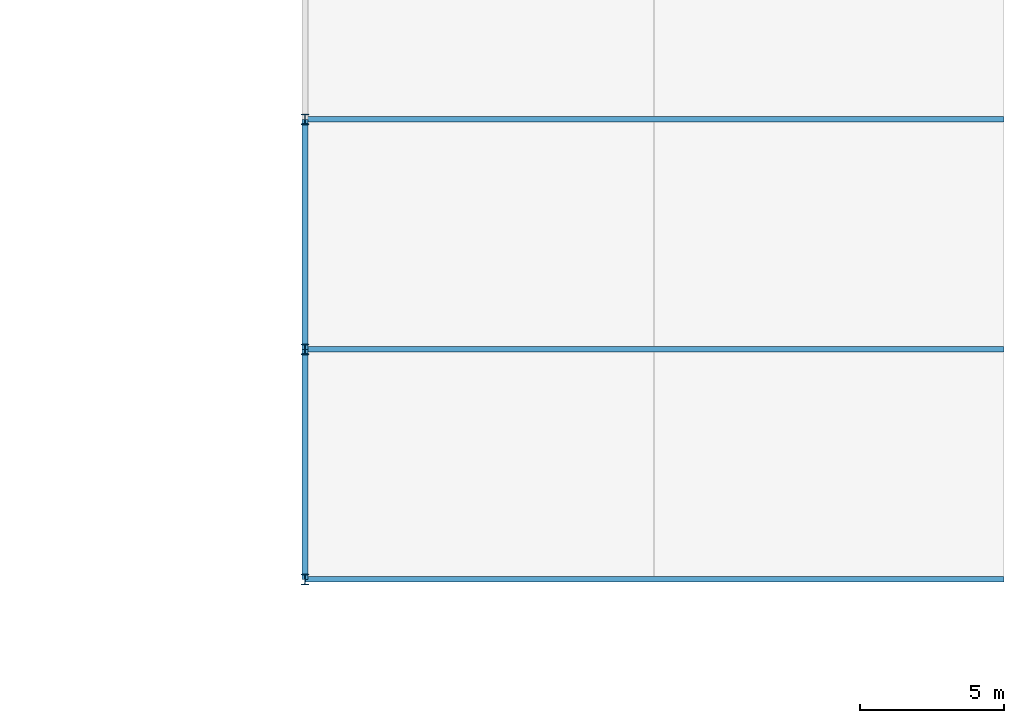
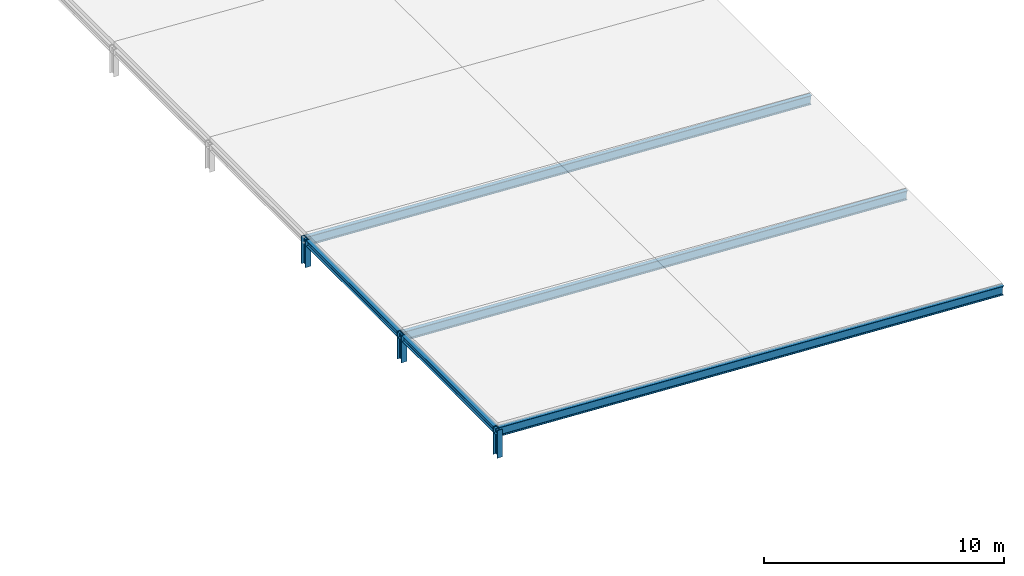
# One storey, part 8 of 36: 6 members, 2 beams.
"""IFC4 building model written with IfcOpenShell, lengths in metres."""

from ifc_helpers import new_model, si_unit, direction, frame, origin, origin_2d, place, context, subcontext, project, spatial, i_section, extrude, material, material_profile, profile_set, type_object, element, save


model = new_model("IFC4")

# Units and contexts
model_context = context("Model", 3, precision=1e-05, world=origin(), true_north=direction((0.0, 1.0)))
body_context = subcontext(model_context, "Body", "Model", "MODEL_VIEW")
ifc_project = project(units=[si_unit("LENGTHUNIT", "METRE"), si_unit("AREAUNIT", "SQUARE_METRE"), si_unit("VOLUMEUNIT", "CUBIC_METRE"), si_unit("PLANEANGLEUNIT", "RADIAN"), si_unit("MASSUNIT", "GRAM", prefix="KILO")], contexts=[model_context])

# Site, building, storey
site_placement = place(None, origin())
site = spatial("IfcSite", under=ifc_project, at=site_placement, CompositionType="ELEMENT")
building_placement = place(site_placement, origin())
building = spatial("IfcBuilding", under=site, at=building_placement, Name="Tarnveldt Square Police Headquarters", CompositionType="ELEMENT")
storey_placement = place(building_placement, frame((0.0, 0.0, 24.89990234375)))
storey = spatial("IfcBuildingStorey", under=building, at=storey_placement, Name="L05", CompositionType="ELEMENT", Elevation=24.89990234375)

# Beams
ifc_material = material(Name="Steel 350W", Category="steel")
ifc_material_profile_1 = material_profile(ifc_material, i_section(OverallWidth=0.202880859375, OverallDepth=0.302978515625, WebThickness=0.007568359375, FlangeThickness=0.01318359375, FilletRadius=0.014892578125, at=origin_2d()), Name="W310x60")
ifc_profile_set_1 = profile_set([ifc_material_profile_1], Name="Steel 350W")
beam_type = type_object("IfcBeamType", Name="BM-W310x60", PredefinedType="JOIST", material=ifc_profile_set_1)
for number, where, z_axis, x_axis, name in (
    (1, (105.300048828125, 56.0, 0.97998046875), (0.0, 1.0, 0.0), (-1.0, 0.0, 0.0), "Tactical Wing High-Eave Header 1"),
    (2, (105.300048828125, 64.0, 0.97998046875), (0.0, 1.0, 0.0), (-1.0, 0.0, 0.0), "Tactical Wing High-Eave Header 2"),
):
    element("IfcBeam", number, at=place(storey_placement, frame(where, z_axis=z_axis, x_axis=x_axis)), inside=storey, type_object=beam_type, Name=name, PredefinedType="JOIST", context=body_context, shape_type="SweptSolid", body=[
        extrude(i_section(OverallWidth=0.202880859375, OverallDepth=0.302978515625, WebThickness=0.007568359375, FlangeThickness=0.01318359375, FilletRadius=0.014892578125, at=origin_2d()), origin(), (0.0, 0.0, 1.0), 8.0),
    ])

# Members
ifc_material_profile_2 = material_profile(ifc_material, i_section(OverallWidth=0.257080078125, OverallDepth=0.363037109375, WebThickness=0.012939453125, FlangeThickness=0.021728515625, FilletRadius=0.01611328125, at=origin_2d()), Name="W360x122")
ifc_profile_set_2 = profile_set([ifc_material_profile_2], Name="Steel 350W")
member_type_1 = type_object("IfcMemberType", Name="MEM-CT-POST", PredefinedType="STRUT", material=ifc_profile_set_2)
for number, where, z_axis, x_axis, name in (
    (3, (105.300048828125, 56.0, -0.260009765625), (0.0, 0.0, 1.0), (1.0, 0.0, 0.0), "Tactical Wing Roof Post 1"),
    (4, (105.300048828125, 64.0, -0.260009765625), (0.0, 0.0, 1.0), (1.0, 0.0, 0.0), "Tactical Wing Roof Post 2"),
    (5, (105.300048828125, 72.0, -0.260009765625), (0.0, 0.0, 1.0), (1.0, 0.0, 0.0), "Tactical Wing Roof Post 3"),
):
    element("IfcMember", number, at=place(storey_placement, frame(where, z_axis=z_axis, x_axis=x_axis)), inside=storey, type_object=member_type_1, Name=name, PredefinedType="STRUT", context=body_context, shape_type="SweptSolid", body=[
        extrude(i_section(OverallWidth=0.257080078125, OverallDepth=0.363037109375, WebThickness=0.012939453125, FlangeThickness=0.021728515625, FilletRadius=0.01611328125, at=origin_2d()), origin(), (0.0, 0.0, 1.0), 1.41015625),
    ])
ifc_material_profile_3 = material_profile(ifc_material, i_section(OverallWidth=0.19189453125, OverallDepth=0.462890625, WebThickness=0.010498046875, FlangeThickness=0.017578125, FilletRadius=0.01806640625, at=origin_2d()), Name="W460x89")
ifc_profile_set_3 = profile_set([ifc_material_profile_3], Name="Steel 350W")
member_type_2 = type_object("IfcMemberType", Name="MEM-GAB-RAF2", PredefinedType="RAFTER", material=ifc_profile_set_3)
for number, where, z_axis, x_axis, name in (
    (6, (105.300048828125, 56.0, 0.97998046875), (0.998572483324, 0.0, -0.053413439776), (0.0, 1.0, 0.0), "Tactical Block Roof Rafter 56"),
    (7, (105.300048828125, 64.0, 0.97998046875), (0.998572483324, 0.0, -0.053413439776), (0.0, 1.0, 0.0), "Tactical Block Roof Rafter 64"),
    (8, (105.300048828125, 72.0, 0.97998046875), (0.998572483324, 0.0, -0.053413439776), (0.0, 1.0, 0.0), "Tactical Block Roof Rafter 72"),
):
    element("IfcMember", number, at=place(storey_placement, frame(where, z_axis=z_axis, x_axis=x_axis)), inside=storey, type_object=member_type_2, Name=name, PredefinedType="RAFTER", context=body_context, shape_type="SweptSolid", body=[
        extrude(i_section(OverallWidth=0.19189453125, OverallDepth=0.462890625, WebThickness=0.010498046875, FlangeThickness=0.017578125, FilletRadius=0.01806640625, at=origin_2d()), origin(), (0.0, 0.0, 1.0), 24.334716796875),
    ])

save(model, "model.ifc")
